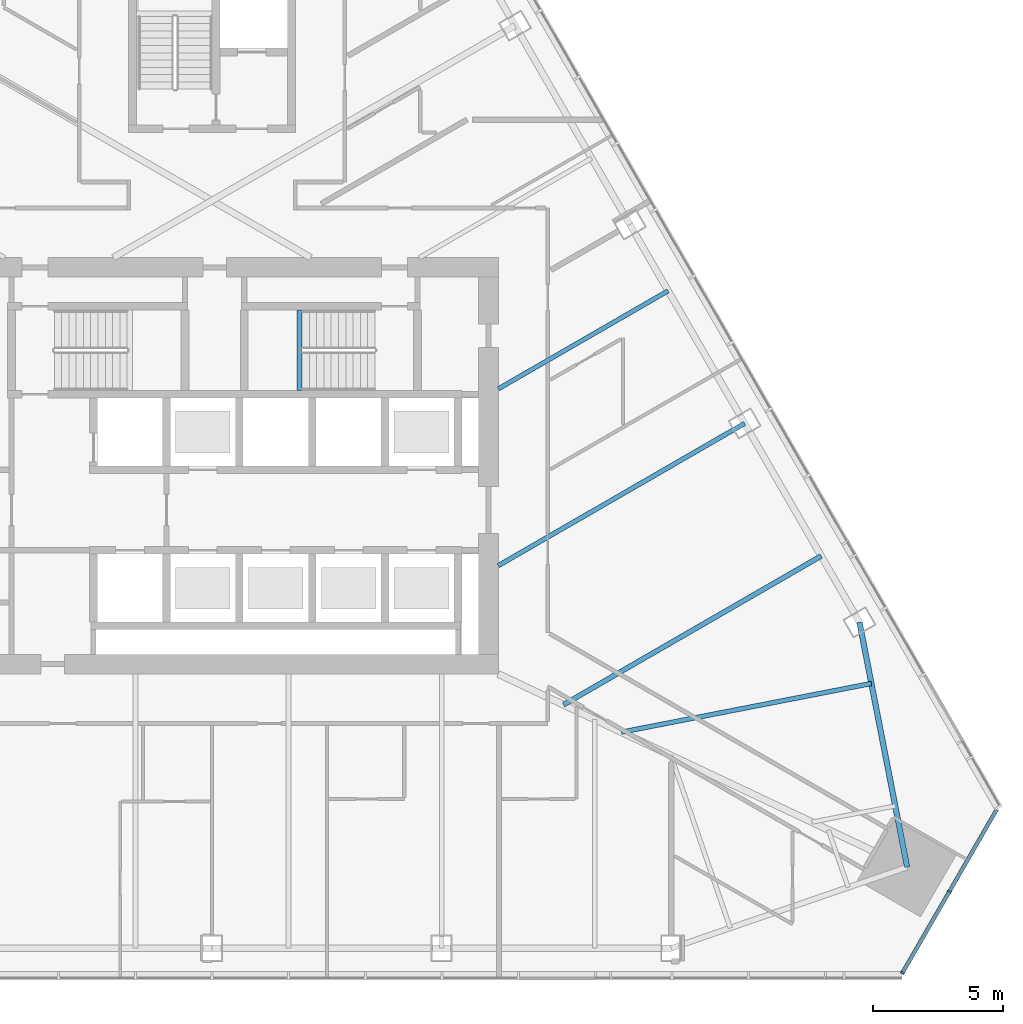
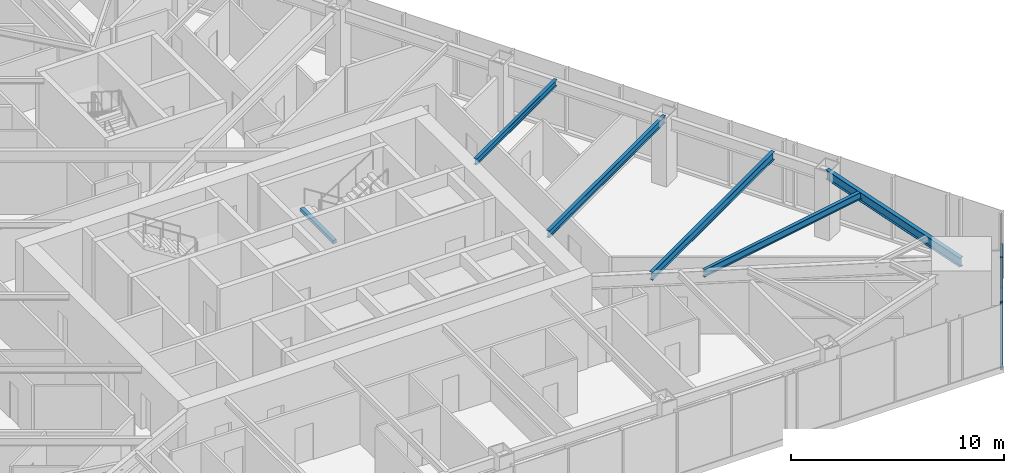
# One storey, part 7 of 19: 6 beams, 5 members, 1 element without a shape of its own.
"""IFC4 building model written with IfcOpenShell, lengths in metres."""

from ifc_helpers import new_model, si_unit, direction, frame, origin, origin_2d, place, context, subcontext, project, spatial, rectangle, i_section, extrude, material, layer, layer_set, material_profile, profile_set, type_object, element, aggregate, save


model = new_model("IFC4")

# Units and contexts
model_context = context("Model", 3, precision=1e-05, world=origin(), true_north=direction((0.0, 1.0)))
body_context = subcontext(model_context, "Body", "Model", "MODEL_VIEW")
ifc_project = project(units=[si_unit("LENGTHUNIT", "METRE"), si_unit("AREAUNIT", "SQUARE_METRE"), si_unit("VOLUMEUNIT", "CUBIC_METRE"), si_unit("PLANEANGLEUNIT", "RADIAN"), si_unit("MASSUNIT", "GRAM", prefix="KILO")], contexts=[model_context])

# Site, building, storey
site_placement = place(None, origin())
site = spatial("IfcSite", under=ifc_project, at=site_placement, CompositionType="ELEMENT")
building_placement = place(site_placement, origin())
building = spatial("IfcBuilding", under=site, at=building_placement, Name="Firuza Gate Tower and Library", CompositionType="ELEMENT")
storey_placement = place(building_placement, frame((0.0, 0.0, 183.10009765625)))
storey = spatial("IfcBuildingStorey", under=building, at=storey_placement, Name="L42", CompositionType="ELEMENT", Elevation=183.10009765625)

# Curtain wall, members
ifc_material_1 = material(Name="Aluminium 6063-T6", Category="aluminium")
ifc_layer = layer(ifc_material_1, 0.14990234375)
ifc_layer_set = layer_set([ifc_layer], Name="Corner curtain wall, chamfers")
curtain_wall_type = type_object("IfcCurtainWallType", Name="Corner curtain wall, chamfers", PredefinedType="NOTDEFINED", material=ifc_layer_set)
curtain_wall_placement = place(storey_placement, origin())
curtain_wall = element("IfcCurtainWall", 1, at=curtain_wall_placement, inside=storey, type_object=curtain_wall_type, Name="CW4 L42 SE corner", PredefinedType="NOTDEFINED")
ifc_material_2 = material(Name="Aluminium 6063-T6", Category="aluminium")
ifc_material_profile_1 = material_profile(ifc_material_2, rectangle(XDim=0.14990234375, YDim=0.080078125, at=origin_2d()))
ifc_profile_set_1 = profile_set([ifc_material_profile_1], Name="Aluminium 6063-T6")
member_type_1 = type_object("IfcMemberType", Name="Curtain wall mullion 80x150", PredefinedType="MULLION", material=ifc_profile_set_1)
member_1_placement = place(storey_placement, frame((101.534912109375, 55.519287109375, 0.14990234375), z_axis=(0.0, 0.0, 1.0), x_axis=(-0.866025403784, 0.5, 0.0)))
member_1 = element("IfcMember", 2, at=member_1_placement, type_object=member_type_1, Name="Mullion", PredefinedType="MULLION", context=body_context, shape_type="SweptSolid", body=[
    extrude(rectangle(XDim=0.14990234375, YDim=0.080078125, at=origin_2d()), origin(), (0.0, 0.0, 1.0), 3.550048828125),
])
member_2_placement = place(storey_placement, frame((103.33642578125, 58.639892578125, 0.14990234375), z_axis=(0.0, 0.0, 1.0), x_axis=(-0.866025403784, 0.5, 0.0)))
member_2 = element("IfcMember", 3, at=member_2_placement, type_object=member_type_1, Name="Mullion", PredefinedType="MULLION", context=body_context, shape_type="SweptSolid", body=[
    extrude(rectangle(XDim=0.14990234375, YDim=0.080078125, at=origin_2d()), origin(), (0.0, 0.0, 1.0), 3.550048828125),
])
ifc_material_3 = material(Name="Aluminium 6063-T6", Category="aluminium")
ifc_material_profile_2 = material_profile(ifc_material_3, rectangle(XDim=0.14990234375, YDim=0.35009765625, at=origin_2d()))
ifc_profile_set_2 = profile_set([ifc_material_profile_2], Name="Aluminium 6063-T6")
member_type_2 = type_object("IfcMemberType", Name="Curtain wall transom 350x150", PredefinedType="USERDEFINED", material=ifc_profile_set_2)
member_3_placement = place(storey_placement, frame((101.514892578125, 55.484619140625, -0.025146484375), z_axis=(0.499991211061, 0.866030478021, 0.0), x_axis=(-0.866030478021, 0.499991211061, 0.0)))
member_3 = element("IfcMember", 4, at=member_3_placement, type_object=member_type_2, Name="Transom", ObjectType="TRANSOM", PredefinedType="USERDEFINED", context=body_context, shape_type="SweptSolid", body=[
    extrude(rectangle(XDim=0.14990234375, YDim=0.35009765625, at=origin_2d()), origin(), (0.0, 0.0, 1.0), 7.286865234375),
])
ifc_material_4 = material(Name="Aluminium 6063-T6", Category="aluminium")
ifc_material_profile_3 = material_profile(ifc_material_4, rectangle(XDim=0.14990234375, YDim=0.080078125, at=origin_2d()))
ifc_profile_set_3 = profile_set([ifc_material_profile_3], Name="Aluminium 6063-T6")
member_type_3 = type_object("IfcMemberType", Name="Curtain wall transom 80x150", PredefinedType="USERDEFINED", material=ifc_profile_set_3)
member_4_placement = place(storey_placement, frame((101.534912109375, 55.519287109375, 1.9248046875), z_axis=(0.49996364809, 0.866046390552, 0.0), x_axis=(-0.866046390552, 0.49996364809, 0.0)))
member_4 = element("IfcMember", 5, at=member_4_placement, type_object=member_type_3, Name="Transom", ObjectType="TRANSOM", PredefinedType="USERDEFINED", context=body_context, shape_type="SweptSolid", body=[
    extrude(rectangle(XDim=0.14990234375, YDim=0.080078125, at=origin_2d()), origin(), (0.0, 0.0, 1.0), 3.563232421875),
])
member_5_placement = place(storey_placement, frame((103.3564453125, 58.674560546875, 1.9248046875), z_axis=(0.500015035186, 0.866016723041, 0.0), x_axis=(-0.866016723041, 0.500015035186, 0.0)))
member_5 = element("IfcMember", 6, at=member_5_placement, type_object=member_type_3, Name="Transom", ObjectType="TRANSOM", PredefinedType="USERDEFINED", context=body_context, shape_type="SweptSolid", body=[
    extrude(rectangle(XDim=0.14990234375, YDim=0.080078125, at=origin_2d()), origin(), (0.0, 0.0, 1.0), 3.5634765625),
])
aggregate(curtain_wall, [member_1, member_2, member_3, member_4, member_5])

# Beams
ifc_material_5 = material(Name="Concrete C35/45", Category="concrete")
ifc_material_profile_4 = material_profile(ifc_material_5, rectangle(XDim=0.199951171875, YDim=0.199951171875, at=origin_2d()))
ifc_profile_set_4 = profile_set([ifc_material_profile_4], Name="Concrete C35/45")
beam_type_1 = type_object("IfcBeamType", Name="Stair landing bearer 200x200", PredefinedType="BEAM", material=ifc_profile_set_4)
beam_1_placement = place(storey_placement, frame((78.360107421875, 80.97998046875, 1.64990234375), z_axis=(0.0, -1.0, 0.0), x_axis=(1.0, 0.0, 0.0)))
element("IfcBeam", 7, at=beam_1_placement, inside=storey, type_object=beam_type_1, Name="Landing bearer L42 stair 2", PredefinedType="BEAM", context=body_context, shape_type="SweptSolid", body=[
    extrude(rectangle(XDim=0.199951171875, YDim=0.199951171875, at=origin_2d()), origin(), (0.0, 0.0, 1.0), 3.080078125),
])
ifc_material_6 = material(Name="Steel S355", Category="steel")
ifc_material_profile_5 = material_profile(ifc_material_6, i_section(OverallWidth=0.1708984375, OverallDepth=0.35498046875, WebThickness=0.007080078125, FlangeThickness=0.01171875, at=origin_2d()))
ifc_profile_set_5 = profile_set([ifc_material_profile_5], Name="Steel S355")
beam_type_2 = type_object("IfcBeamType", Name="W360x51 Floor beam", PredefinedType="JOIST", material=ifc_profile_set_5)
beam_2_placement = place(storey_placement, frame((92.527099609375, 81.722900390625, 3.5224609375), z_axis=(-0.866031848217, -0.499988837749, 0.0), x_axis=(0.499988837749, -0.866031848217, 0.0)))
element("IfcBeam", 8, at=beam_2_placement, inside=storey, type_object=beam_type_2, Name="Floor beam L42 s52", PredefinedType="JOIST", context=body_context, shape_type="SweptSolid", body=[
    extrude(i_section(OverallWidth=0.1708984375, OverallDepth=0.35498046875, WebThickness=0.007080078125, FlangeThickness=0.01171875, at=origin_2d()), origin(), (0.0, 0.0, 1.0), 7.536865234375),
])
ifc_material_7 = material(Name="Steel S355", Category="steel")
ifc_material_profile_6 = material_profile(ifc_material_7, i_section(OverallWidth=0.177978515625, OverallDepth=0.406982421875, WebThickness=0.0078125, FlangeThickness=0.0126953125, at=origin_2d()))
ifc_profile_set_6 = profile_set([ifc_material_profile_6], Name="Steel S355")
beam_type_3 = type_object("IfcBeamType", Name="W410x60 Floor beam", PredefinedType="JOIST", material=ifc_profile_set_6)
beam_3_placement = place(storey_placement, frame((100.33837890625, 66.634521484375, 3.496337890625), z_axis=(-0.981557560879, -0.191166824215, 0.0), x_axis=(0.191166824215, -0.981557560879, 0.0)))
element("IfcBeam", 9, at=beam_3_placement, inside=storey, type_object=beam_type_3, Name="Floor beam L42 s41", PredefinedType="JOIST", context=body_context, shape_type="SweptSolid", body=[
    extrude(i_section(OverallWidth=0.177978515625, OverallDepth=0.406982421875, WebThickness=0.0078125, FlangeThickness=0.0126953125, at=origin_2d()), origin(), (0.0, 0.0, 1.0), 9.78515625),
])
beam_4_placement = place(storey_placement, frame((95.46826171875, 76.62841796875, 3.496337890625), z_axis=(-0.866023451907, -0.500003380735, 0.0), x_axis=(0.500003380735, -0.866023451907, 0.0)))
element("IfcBeam", 10, at=beam_4_placement, inside=storey, type_object=beam_type_3, Name="Floor beam L42 s51", PredefinedType="JOIST", context=body_context, shape_type="SweptSolid", body=[
    extrude(i_section(OverallWidth=0.177978515625, OverallDepth=0.406982421875, WebThickness=0.0078125, FlangeThickness=0.0126953125, at=origin_2d()), origin(), (0.0, 0.0, 1.0), 10.93310546875),
])
ifc_material_8 = material(Name="Steel S355", Category="steel")
ifc_material_profile_7 = material_profile(ifc_material_8, i_section(OverallWidth=0.18994140625, OverallDepth=0.45703125, WebThickness=0.009033203125, FlangeThickness=0.014404296875, at=origin_2d()))
ifc_profile_set_7 = profile_set([ifc_material_profile_7], Name="Steel S355")
beam_type_4 = type_object("IfcBeamType", Name="W460x74 Floor beam", PredefinedType="JOIST", material=ifc_profile_set_7)
beam_5_placement = place(storey_placement, frame((98.40966796875, 71.533935546875, 3.471435546875), z_axis=(-0.866027379035, -0.49999657875, 0.0), x_axis=(0.49999657875, -0.866027379035, 0.0)))
element("IfcBeam", 11, at=beam_5_placement, inside=storey, type_object=beam_type_4, Name="Floor beam L42 s50", PredefinedType="JOIST", context=body_context, shape_type="SweptSolid", body=[
    extrude(i_section(OverallWidth=0.18994140625, OverallDepth=0.45703125, WebThickness=0.009033203125, FlangeThickness=0.014404296875, at=origin_2d()), origin(), (0.0, 0.0, 1.0), 11.435546875),
])
ifc_material_9 = material(Name="Steel S355", Category="steel")
ifc_material_profile_8 = material_profile(ifc_material_9, i_section(OverallWidth=0.212890625, OverallDepth=0.5390625, WebThickness=0.01171875, FlangeThickness=0.018798828125, at=origin_2d()))
ifc_profile_set_8 = profile_set([ifc_material_profile_8], Name="Steel S355")
beam_type_5 = type_object("IfcBeamType", Name="W530x109 Edge beam", PredefinedType="SPANDREL", material=ifc_profile_set_8)
beam_6_placement = place(storey_placement, frame((101.712646484375, 59.577392578125, 3.430419921875), z_axis=(-0.191162086549, 0.981558483569, 0.0), x_axis=(-0.981558483569, -0.191162086549, 0.0)))
element("IfcBeam", 12, at=beam_6_placement, inside=storey, type_object=beam_type_5, Name="Edge beam L42 e40", PredefinedType="SPANDREL", context=body_context, shape_type="SweptSolid", body=[
    extrude(i_section(OverallWidth=0.212890625, OverallDepth=0.5390625, WebThickness=0.01171875, FlangeThickness=0.018798828125, at=origin_2d()), origin(), (0.0, 0.0, 1.0), 9.586181640625),
])

save(model, "model.ifc")
